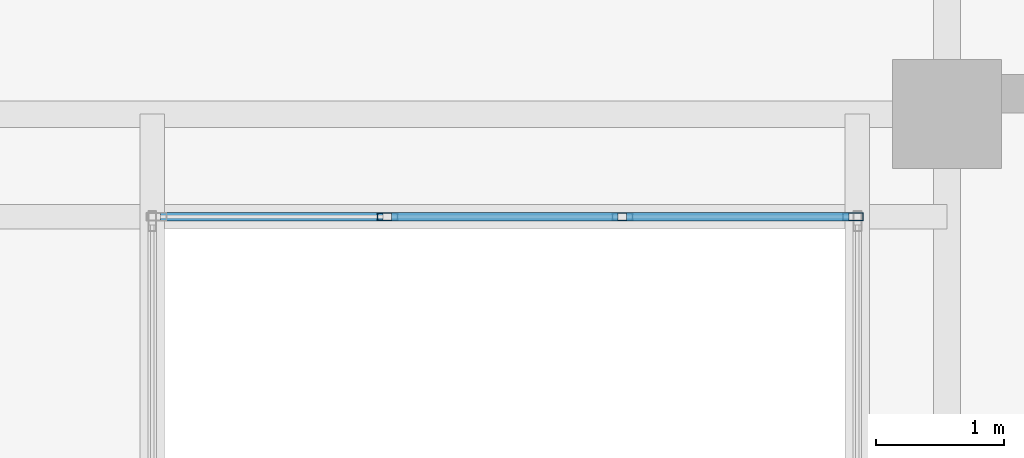
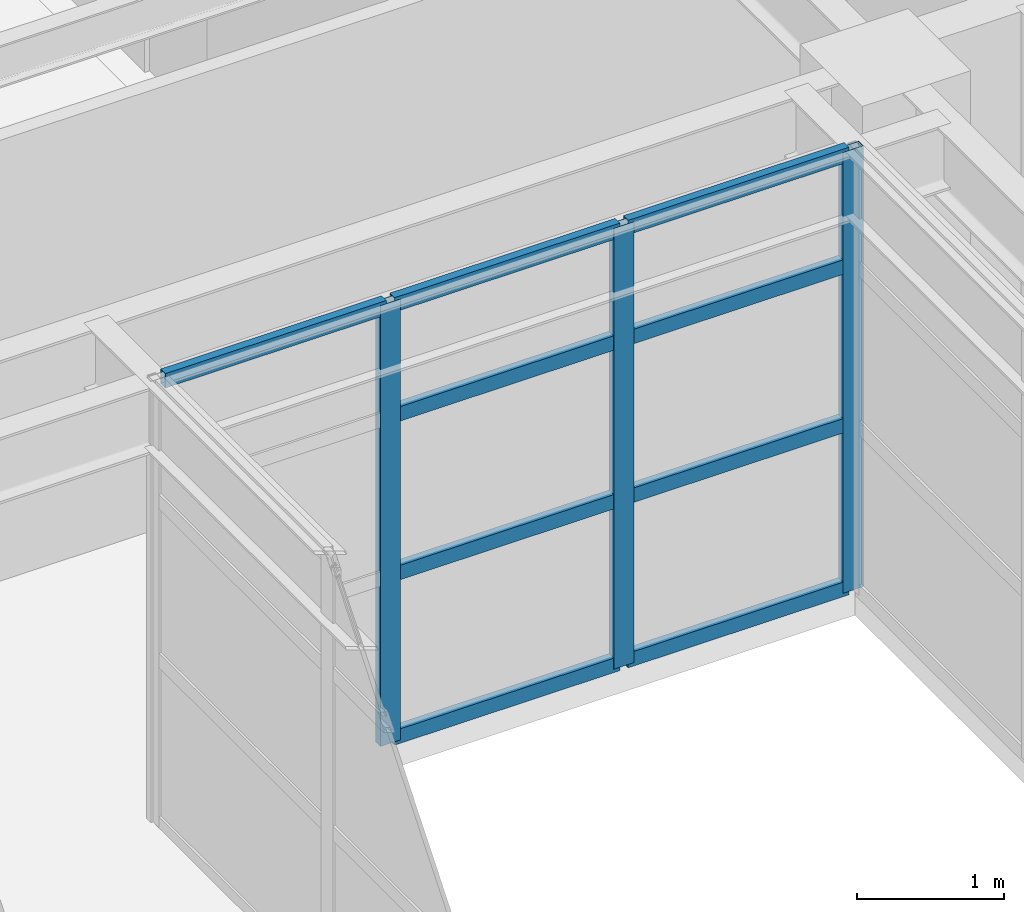
# One storey, part 3 of 15: 12 members, 1 element without a shape of its own.
"""IFC4 building model written with IfcOpenShell, lengths in metres."""

from ifc_helpers import new_model, si_unit, direction, frame, origin, origin_2d, place, context, subcontext, project, spatial, hollow_rectangle, extrude, material, layer, layer_set, material_profile, profile_set, type_object, element, aggregate, save


model = new_model("IFC4")

# Units and contexts
model_context = context("Model", 3, precision=1e-05, world=origin(), true_north=direction((0.0, 1.0)))
body_context = subcontext(model_context, "Body", "Model", "MODEL_VIEW")
ifc_project = project(units=[si_unit("LENGTHUNIT", "METRE"), si_unit("AREAUNIT", "SQUARE_METRE"), si_unit("VOLUMEUNIT", "CUBIC_METRE"), si_unit("PLANEANGLEUNIT", "RADIAN"), si_unit("MASSUNIT", "GRAM", prefix="KILO")], contexts=[model_context])

# Site, building, storey
site_placement = place(None, origin())
site = spatial("IfcSite", under=ifc_project, at=site_placement, CompositionType="ELEMENT")
building_placement = place(site_placement, origin())
building = spatial("IfcBuilding", under=site, at=building_placement, Name="Kundavana Baori Tower", CompositionType="ELEMENT")
storey_placement = place(building_placement, frame((0.0, 0.0, 214.10009765625)))
storey = spatial("IfcBuildingStorey", under=building, at=storey_placement, Name="L52", CompositionType="ELEMENT", Elevation=214.10009765625)

# Curtain wall, members
ifc_material_1 = material(Name="Thermally Broken Anodised Aluminium Framing", Category="aluminium")
ifc_layer = layer(ifc_material_1, 0.219970703125, Name="CW-SYS-5")
ifc_layer_set = layer_set([ifc_layer], Name="Thermally Broken Anodised Aluminium Framing")
curtain_wall_type = type_object("IfcCurtainWallType", Name="CW-SYS-5", PredefinedType="NOTDEFINED", material=ifc_layer_set)
curtain_wall_placement = place(storey_placement, origin())
curtain_wall = element("IfcCurtainWall", 1, at=curtain_wall_placement, inside=storey, type_object=curtain_wall_type, Name="L52 Atrium Glazed Curtain Wall N", PredefinedType="NOTDEFINED")
ifc_material_2 = material(Name="Thermally Broken Anodised Aluminium Framing", Category="aluminium")
ifc_material_profile_1 = material_profile(ifc_material_2, hollow_rectangle(XDim=0.06494140625, YDim=0.159912109375, WallThickness=0.00390625, at=origin_2d()), Name="CW-MULL-160")
ifc_profile_set_1 = profile_set([ifc_material_profile_1], Name="Thermally Broken Anodised Aluminium Framing")
member_type_1 = type_object("IfcMemberType", Name="CW-MULL-160", PredefinedType="MULLION", material=ifc_profile_set_1)
member_1_placement = place(storey_placement, frame((33.0673828125, 32.199951171875, 0.0), z_axis=(0.0, 0.0, 1.0), x_axis=(0.0, -1.0, 0.0)))
member_1 = element("IfcMember", 2, at=member_1_placement, type_object=member_type_1, Name="CW5 mullion 1", PredefinedType="MULLION", context=body_context, shape_type="SweptSolid", body=[
    extrude(hollow_rectangle(XDim=0.06494140625, YDim=0.159912109375, WallThickness=0.00390625, at=origin_2d()), origin(), (0.0, 0.0, 1.0), 3.659912109375),
])
member_2_placement = place(storey_placement, frame((31.2666015625, 32.199951171875, 0.0), z_axis=(0.0, 0.0, 1.0), x_axis=(0.0, -1.0, 0.0)))
member_2 = element("IfcMember", 3, at=member_2_placement, type_object=member_type_1, Name="CW5 mullion 2", PredefinedType="MULLION", context=body_context, shape_type="SweptSolid", body=[
    extrude(hollow_rectangle(XDim=0.06494140625, YDim=0.159912109375, WallThickness=0.00390625, at=origin_2d()), origin(), (0.0, 0.0, 1.0), 3.659912109375),
])
member_3_placement = place(storey_placement, frame((29.433349609375, 32.199951171875, 0.0), z_axis=(0.0, 0.0, 1.0), x_axis=(0.0, -1.0, 0.0)))
member_3 = element("IfcMember", 4, at=member_3_placement, type_object=member_type_1, Name="CW5 mullion 3", PredefinedType="MULLION", context=body_context, shape_type="SweptSolid", body=[
    extrude(hollow_rectangle(XDim=0.06494140625, YDim=0.159912109375, WallThickness=0.00390625, at=origin_2d()), origin(), (0.0, 0.0, 1.0), 3.659912109375),
])
ifc_material_3 = material(Name="Thermally Broken Anodised Aluminium Framing", Category="aluminium")
ifc_material_profile_2 = material_profile(ifc_material_3, hollow_rectangle(XDim=0.06494140625, YDim=0.1201171875, WallThickness=0.00390625, at=origin_2d()), Name="CW-TRAN-120")
ifc_profile_set_2 = profile_set([ifc_material_profile_2], Name="Thermally Broken Anodised Aluminium Framing")
member_type_2 = type_object("IfcMemberType", Name="CW-TRAN-120", PredefinedType="USERDEFINED", material=ifc_profile_set_2)
member_4_placement = place(storey_placement, frame((33.034912109375, 32.199951171875, 0.032470703125), z_axis=(-1.0, 0.0, 0.0), x_axis=(0.0, -1.0, 0.0)))
member_4 = element("IfcMember", 5, at=member_4_placement, type_object=member_type_2, Name="CW5 transom 1.1", ObjectType="TRANSOM", PredefinedType="USERDEFINED", context=body_context, shape_type="SweptSolid", body=[
    extrude(hollow_rectangle(XDim=0.06494140625, YDim=0.1201171875, WallThickness=0.00390625, at=origin_2d()), origin(), (0.0, 0.0, 1.0), 1.73583984375),
])
member_5_placement = place(storey_placement, frame((33.034912109375, 32.199951171875, 1.390625), z_axis=(-1.0, 0.0, 0.0), x_axis=(0.0, -1.0, 0.0)))
member_5 = element("IfcMember", 6, at=member_5_placement, type_object=member_type_2, Name="CW5 transom 1.2", ObjectType="TRANSOM", PredefinedType="USERDEFINED", context=body_context, shape_type="SweptSolid", body=[
    extrude(hollow_rectangle(XDim=0.06494140625, YDim=0.1201171875, WallThickness=0.00390625, at=origin_2d()), origin(), (0.0, 0.0, 1.0), 1.73583984375),
])
member_6_placement = place(storey_placement, frame((33.034912109375, 32.199951171875, 2.708251953125), z_axis=(-1.0, 0.0, 0.0), x_axis=(0.0, -1.0, 0.0)))
member_6 = element("IfcMember", 7, at=member_6_placement, type_object=member_type_2, Name="CW5 transom 1.3", ObjectType="TRANSOM", PredefinedType="USERDEFINED", context=body_context, shape_type="SweptSolid", body=[
    extrude(hollow_rectangle(XDim=0.06494140625, YDim=0.1201171875, WallThickness=0.00390625, at=origin_2d()), origin(), (0.0, 0.0, 1.0), 1.73583984375),
])
member_7_placement = place(storey_placement, frame((33.034912109375, 32.199951171875, 3.62744140625), z_axis=(-1.0, 0.0, 0.0), x_axis=(0.0, -1.0, 0.0)))
member_7 = element("IfcMember", 8, at=member_7_placement, type_object=member_type_2, Name="CW5 transom 1.4", ObjectType="TRANSOM", PredefinedType="USERDEFINED", context=body_context, shape_type="SweptSolid", body=[
    extrude(hollow_rectangle(XDim=0.06494140625, YDim=0.1201171875, WallThickness=0.00390625, at=origin_2d()), origin(), (0.0, 0.0, 1.0), 1.73583984375),
])
member_8_placement = place(storey_placement, frame((31.234130859375, 32.199951171875, 0.032470703125), z_axis=(-1.0, 0.0, 0.0), x_axis=(0.0, -1.0, 0.0)))
member_8 = element("IfcMember", 9, at=member_8_placement, type_object=member_type_2, Name="CW5 transom 2.1", ObjectType="TRANSOM", PredefinedType="USERDEFINED", context=body_context, shape_type="SweptSolid", body=[
    extrude(hollow_rectangle(XDim=0.06494140625, YDim=0.1201171875, WallThickness=0.00390625, at=origin_2d()), origin(), (0.0, 0.0, 1.0), 1.768310546875),
])
member_9_placement = place(storey_placement, frame((31.234130859375, 32.199951171875, 1.390625), z_axis=(-1.0, 0.0, 0.0), x_axis=(0.0, -1.0, 0.0)))
member_9 = element("IfcMember", 10, at=member_9_placement, type_object=member_type_2, Name="CW5 transom 2.2", ObjectType="TRANSOM", PredefinedType="USERDEFINED", context=body_context, shape_type="SweptSolid", body=[
    extrude(hollow_rectangle(XDim=0.06494140625, YDim=0.1201171875, WallThickness=0.00390625, at=origin_2d()), origin(), (0.0, 0.0, 1.0), 1.768310546875),
])
member_10_placement = place(storey_placement, frame((31.234130859375, 32.199951171875, 2.708251953125), z_axis=(-1.0, 0.0, 0.0), x_axis=(0.0, -1.0, 0.0)))
member_10 = element("IfcMember", 11, at=member_10_placement, type_object=member_type_2, Name="CW5 transom 2.3", ObjectType="TRANSOM", PredefinedType="USERDEFINED", context=body_context, shape_type="SweptSolid", body=[
    extrude(hollow_rectangle(XDim=0.06494140625, YDim=0.1201171875, WallThickness=0.00390625, at=origin_2d()), origin(), (0.0, 0.0, 1.0), 1.768310546875),
])
member_11_placement = place(storey_placement, frame((31.234130859375, 32.199951171875, 3.62744140625), z_axis=(-1.0, 0.0, 0.0), x_axis=(0.0, -1.0, 0.0)))
member_11 = element("IfcMember", 12, at=member_11_placement, type_object=member_type_2, Name="CW5 transom 2.4", ObjectType="TRANSOM", PredefinedType="USERDEFINED", context=body_context, shape_type="SweptSolid", body=[
    extrude(hollow_rectangle(XDim=0.06494140625, YDim=0.1201171875, WallThickness=0.00390625, at=origin_2d()), origin(), (0.0, 0.0, 1.0), 1.768310546875),
])
member_12_placement = place(storey_placement, frame((29.40087890625, 32.199951171875, 3.62744140625), z_axis=(-1.0, 0.0, 0.0), x_axis=(0.0, -1.0, 0.0)))
member_12 = element("IfcMember", 13, at=member_12_placement, type_object=member_type_2, Name="CW5 transom 3.4", ObjectType="TRANSOM", PredefinedType="USERDEFINED", context=body_context, shape_type="SweptSolid", body=[
    extrude(hollow_rectangle(XDim=0.06494140625, YDim=0.1201171875, WallThickness=0.00390625, at=origin_2d()), origin(), (0.0, 0.0, 1.0), 1.73583984375),
])
aggregate(curtain_wall, [member_1, member_2, member_3, member_4, member_5, member_6, member_7, member_8, member_9, member_10, member_11, member_12])

save(model, "model.ifc")
